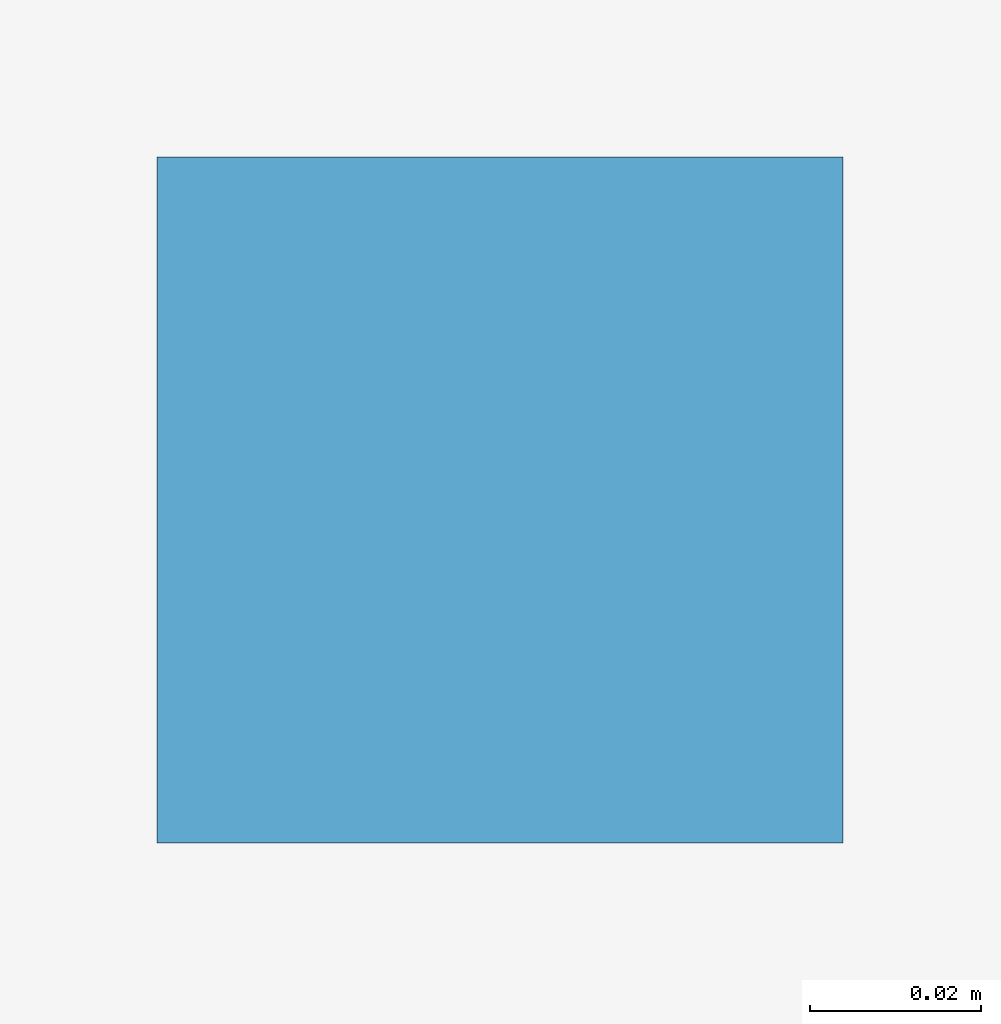
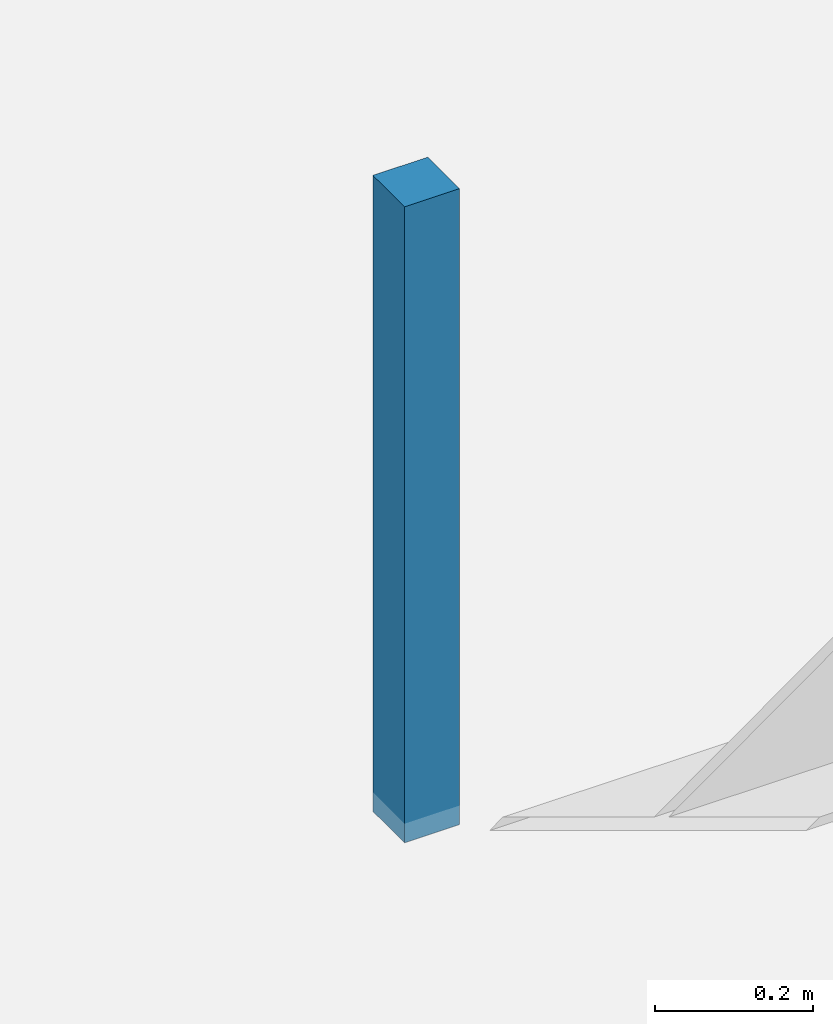
# One storey, part 12 of 17: 1 discrete accessory.
"""IFC4 building model written with IfcOpenShell, lengths in metres."""

from ifc_helpers import new_model, si_unit, direction, frame, origin, origin_2d, place, context, subcontext, project, spatial, rectangle, extrude, source, transform, mapped, material, type_object, element, save


model = new_model("IFC4")

# Units and contexts
model_context = context("Model", 3, precision=1e-05, world=origin(), true_north=direction((0.0, 1.0)))
body_context = subcontext(model_context, "Body", "Model", "MODEL_VIEW")
ifc_project = project(units=[si_unit("LENGTHUNIT", "METRE"), si_unit("AREAUNIT", "SQUARE_METRE"), si_unit("VOLUMEUNIT", "CUBIC_METRE"), si_unit("PLANEANGLEUNIT", "RADIAN"), si_unit("MASSUNIT", "GRAM", prefix="KILO")], contexts=[model_context])

# Site, building, storey
site_placement = place(None, origin())
site = spatial("IfcSite", under=ifc_project, at=site_placement, CompositionType="ELEMENT")
building_placement = place(site_placement, origin())
building = spatial("IfcBuilding", under=site, at=building_placement, Name="Giltprow Tower", CompositionType="ELEMENT")
storey_placement = place(building_placement, frame((0.0, 0.0, 57.199951171875)))
storey = spatial("IfcBuildingStorey", under=building, at=storey_placement, Name="L14", CompositionType="ELEMENT", Elevation=57.199951171875)

# Discrete accessory
ifc_material = material(Name="Structural steel Q355B", Category="steel")
discrete_accessory_type = type_object("IfcDiscreteAccessoryType", Name="ACC-CLG-HANGER", PredefinedType="BRACKET", material=ifc_material)
shared_shape = source(origin(), body_context, "Body", "SweptSolid", [
    extrude(rectangle(XDim=0.080078125, YDim=0.080078125, at=origin_2d()), origin(), (0.0, 0.0, 1.0), 0.97998046875),
])
discrete_accessory_placement = place(storey_placement, frame((25.39990234375, 19.64111328125, 2.719970703125), z_axis=(0.0, 0.0, 1.0), x_axis=(1.0, 0.0, 0.0)))
element("IfcDiscreteAccessory", 1, at=discrete_accessory_placement, inside=storey, type_object=discrete_accessory_type, Name="L14 Office Acoustic Ceiling Suspension Hanger", PredefinedType="BRACKET", context=body_context, shape_type="MappedRepresentation", body=[
    mapped(shared_shape, transform((0.0, 0.0, 0.0), x_axis=(1.0, 0.0, 0.0), y_axis=(0.0, 1.0, 0.0), z_axis=(0.0, 0.0, 1.0), scale=1.0)),
])

save(model, "model.ifc")
